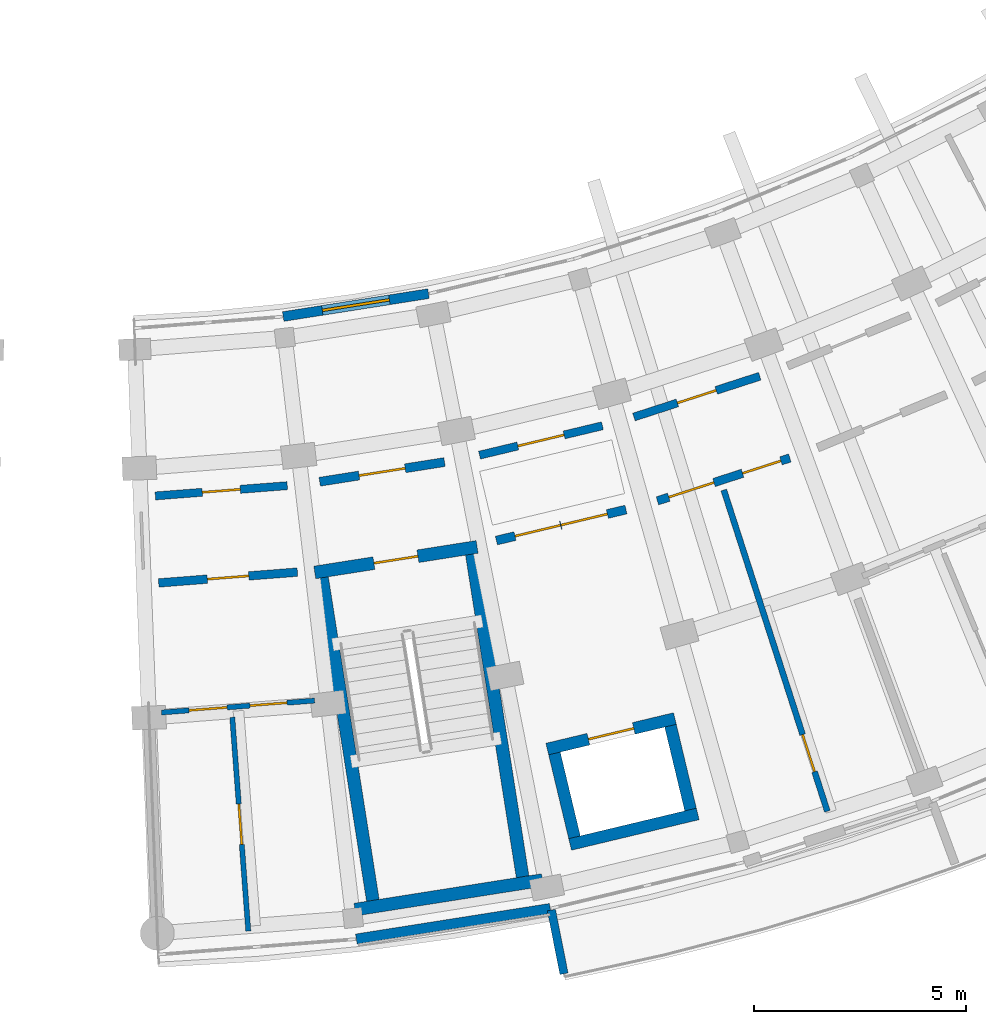
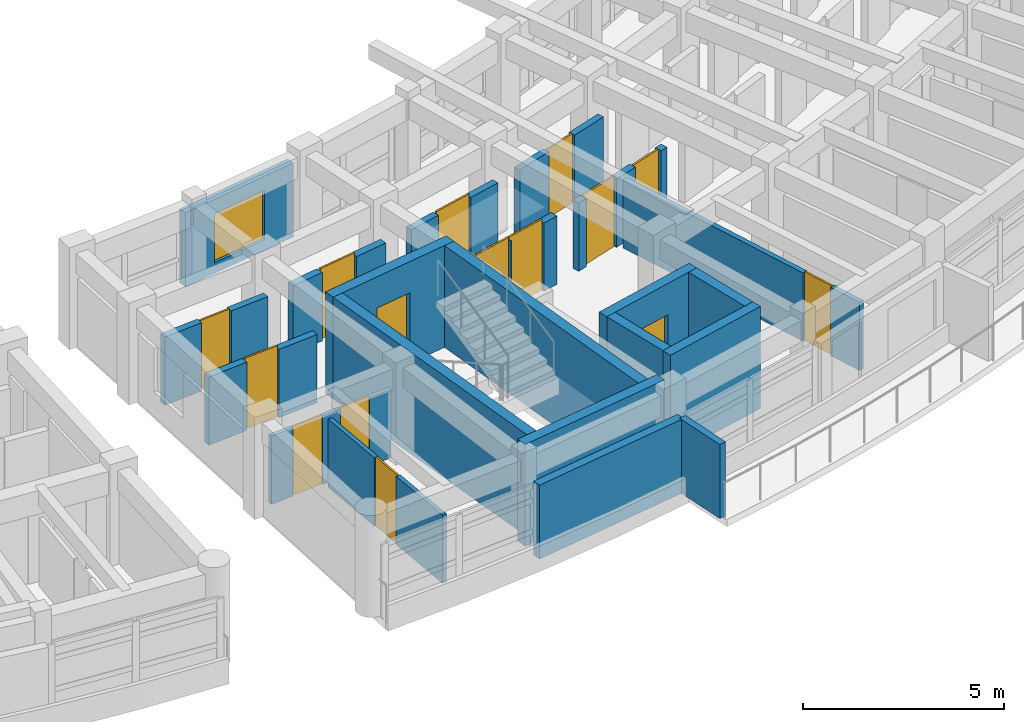
# One storey, part 38 of 55: 21 walls, 15 doors, 1 window, 16 openings.
"""IFC4 building model written with IfcOpenShell, lengths in metres."""

import ifcopenshell
import ifcopenshell.guid

model = None  # the IFC model being written
_history = None  # IfcOwnerHistory: only IFC2X3 demands one
_inside = {}  # id of a spatial element -> (the spatial element, [elements in it])
_under = {}  # id of a project, library or spatial element -> (it, [spatial elements below it])
_declared = {}  # id of a project -> (the project, [libraries it declares])
_typed = {}  # id of a type object -> (the type object, [elements of that type])
_made_of = {}  # id of a material, layer set ... -> (it, [elements and type objects made of it])


def new_model(schema):
    """Start an empty IFC model of exactly this schema.

    Asked for "IFC4X3", IfcOpenShell would pick the latest addendum, in which some entities
    have other attributes; the version numbers below select the first issue.
    IFC2X3 requires an IfcOwnerHistory on every rooted entity: one is made here for all.
    """
    global model, _history
    if schema == "IFC4X3":
        model = ifcopenshell.file(schema_version=(4, 3, 0, 0))
    else:
        model = ifcopenshell.file(schema=schema)
    _inside.clear()
    _under.clear()
    _declared.clear()
    _typed.clear()
    _made_of.clear()
    _history = None
    if model.schema == "IFC2X3":
        org = make("IfcOrganization", Name="unknown")
        user = make(
            "IfcPersonAndOrganization",
            ThePerson=make("IfcPerson", FamilyName="unknown"),
            TheOrganization=org,
        )
        app = make(
            "IfcApplication",
            ApplicationDeveloper=org,
            Version="unknown",
            ApplicationFullName="unknown",
            ApplicationIdentifier="unknown",
        )
        _history = make(
            "IfcOwnerHistory",
            OwningUser=user,
            OwningApplication=app,
            ChangeAction="ADDED",
            CreationDate=0,
        )
    return model


def make(cls, **values):
    """One entity of the class cls with the attributes given. An attribute that is None is left unset."""
    return model.create_entity(
        cls, **{name: value for name, value in values.items() if value is not None}
    )


def rooted(cls, **values):
    """An entity with a GlobalId (a new one), such as an element, a storey or a relation."""
    return make(cls, GlobalId=ifcopenshell.guid.new(), OwnerHistory=_history, **values)


def si_unit(unit_type, name, prefix=None):
    """IfcSIUnit, for example si_unit("LENGTHUNIT", "METRE", prefix="MILLI")."""
    return make("IfcSIUnit", UnitType=unit_type, Prefix=prefix, Name=name)


def assignment(units):
    """IfcUnitAssignment: the units of a project."""
    return None if units is None else make("IfcUnitAssignment", Units=units)


def point(xyz):
    """IfcCartesianPoint."""
    return None if xyz is None else make("IfcCartesianPoint", Coordinates=xyz)


def direction(xyz):
    """IfcDirection."""
    return None if xyz is None else make("IfcDirection", DirectionRatios=xyz)


def frame(location, z_axis=None, x_axis=None):
    """IfcAxis2Placement3D, a coordinate frame: its origin and axes. An axis left out is left unset."""
    return make(
        "IfcAxis2Placement3D",
        Location=point(location),
        Axis=direction(z_axis),
        RefDirection=direction(x_axis),
    )


def frame_2d(location, x_axis=None):
    """IfcAxis2Placement2D, a coordinate frame in the plane: its origin and x axis."""
    return make(
        "IfcAxis2Placement2D", Location=point(location), RefDirection=direction(x_axis)
    )


def origin():
    """The frame at (0, 0, 0) with its axes left unset."""
    return frame((0.0, 0.0, 0.0))


def place(relative_to, where):
    """IfcLocalPlacement: puts the frame where relative to a parent placement (None: the world)."""
    return make(
        "IfcLocalPlacement", PlacementRelTo=relative_to, RelativePlacement=where
    )


def context(
    kind, dimensions, precision=None, world=None, true_north=None, identifier=None
):
    """IfcGeometricRepresentationContext, for example the 3D "Model" context."""
    return make(
        "IfcGeometricRepresentationContext",
        ContextIdentifier=identifier,
        ContextType=kind,
        CoordinateSpaceDimension=dimensions,
        Precision=precision,
        WorldCoordinateSystem=world,
        TrueNorth=true_north,
    )


def subcontext(parent, identifier, kind, view, scale=None):
    """IfcGeometricRepresentationSubContext, for example "Body" below "Model"."""
    return make(
        "IfcGeometricRepresentationSubContext",
        ContextIdentifier=identifier,
        ContextType=kind,
        ParentContext=parent,
        TargetScale=scale,
        TargetView=view,
    )


def project(units=None, contexts=None):
    """IfcProject with its units and contexts."""
    return rooted(
        "IfcProject",
        Name="project",
        RepresentationContexts=contexts,
        UnitsInContext=assignment(units),
    )


def spatial(cls, under=None, at=None, **own):
    """A site, building, storey or space (cls), placed at a placement, below another one or the project."""
    s = rooted(cls, ObjectPlacement=at, **own)
    if under is not None:
        _under.setdefault(under.id(), (under, []))[1].append(s)
    return s


def profile(cls, at=None, kind="AREA", **sizes):
    """A parametric profile (cls). Its sizes go by their IFC names, for example OverallWidth=200.0."""
    return make(cls, ProfileType=kind, Position=at, **sizes)


def rectangle(**sizes):
    """IfcRectangleProfileDef."""
    return profile("IfcRectangleProfileDef", **sizes)


def extrude(swept, where, along, depth):
    """IfcExtrudedAreaSolid: the profile swept, set in the frame where, extruded along a direction by depth."""
    return make(
        "IfcExtrudedAreaSolid",
        SweptArea=swept,
        Position=where,
        ExtrudedDirection=direction(along),
        Depth=depth,
    )


def shape(context_of_items, identifier, shape_type, items):
    """IfcShapeRepresentation: the items that make up one representation, for example the "Body"."""
    return make(
        "IfcShapeRepresentation",
        ContextOfItems=context_of_items,
        RepresentationIdentifier=identifier,
        RepresentationType=shape_type,
        Items=items,
    )


def material(Name=None, Category=None):
    """IfcMaterial."""
    return make("IfcMaterial", Name=Name, Category=Category)


def layer(
    of_material, thickness, ventilated=None, Name=None, Category=None, Priority=None
):
    """IfcMaterialLayer: one layer of a wall or slab, of a material (None: an air gap)."""
    return make(
        "IfcMaterialLayer",
        Material=of_material,
        LayerThickness=thickness,
        IsVentilated=ventilated,
        Name=Name,
        Category=Category,
        Priority=Priority,
    )


def layer_set(layers, Name=None):
    """IfcMaterialLayerSet."""
    return make("IfcMaterialLayerSet", MaterialLayers=layers, LayerSetName=Name)


def made_of(thing, what):
    """Note that an element or type object is made of a material, layer set ...; save() writes the relation."""
    if what is not None:
        _made_of.setdefault(what.id(), (what, []))[1].append(thing)
    return thing


def type_object(cls, material=None, **own):
    """A type object (cls), such as IfcWallType, which elements share."""
    return made_of(rooted(cls, **own), material)


def element(
    cls,
    number,
    at=None,
    inside=None,
    cuts=None,
    type_object=None,
    material=None,
    context=None,
    identifier="Body",
    shape_type=None,
    held_by="IfcProductDefinitionShape",
    body=None,
    shapes=None,
    **own,
):
    """One element of the class cls, such as IfcWall. Its Tag is "e" and its number.

    at: its placement. inside: the storey or other place that contains it. cuts: it is an
    opening in that element (IfcRelVoidsElement). A single representation is given by context,
    identifier, shape_type and body (its items); several are given by shapes. held_by: the class
    of the entity that holds the representations. save() writes the other relations.
    """
    e = rooted(cls, Tag="e%d" % number, ObjectPlacement=at, **own)
    if body is not None:
        shapes = [shape(context, identifier, shape_type, body)]
    if shapes is not None:
        e.Representation = make(held_by, Representations=shapes)
    if inside is not None:
        _inside.setdefault(inside.id(), (inside, []))[1].append(e)
    if cuts is not None:
        rooted(
            "IfcRelVoidsElement", RelatingBuildingElement=cuts, RelatedOpeningElement=e
        )
    if type_object is not None:
        _typed.setdefault(type_object.id(), (type_object, []))[1].append(e)
    return made_of(e, material)


def fill(opening, filler):
    """IfcRelFillsElement: the door or window that sits in an opening."""
    return rooted(
        "IfcRelFillsElement",
        RelatingOpeningElement=opening,
        RelatedBuildingElement=filler,
    )


def aggregate(whole, parts):
    """IfcRelAggregates: a whole, such as a stair, and the parts it consists of."""
    return rooted("IfcRelAggregates", RelatingObject=whole, RelatedObjects=parts)


def save(model, path):
    """Write the relations noted so far, then the file.

    IfcRelAggregates (storeys below a building ...), IfcRelContainedInSpatialStructure (elements
    in a storey), IfcRelDefinesByType, IfcRelAssociatesMaterial and IfcRelDeclares: one each for
    every whole, place, type object, material and project.
    """
    for whole, parts in _under.values():
        aggregate(whole, parts)
    for where, things in _inside.values():
        rooted(
            "IfcRelContainedInSpatialStructure",
            RelatedElements=things,
            RelatingStructure=where,
        )
    for kind, things in _typed.values():
        rooted("IfcRelDefinesByType", RelatedObjects=things, RelatingType=kind)
    for what, things in _made_of.values():
        rooted("IfcRelAssociatesMaterial", RelatedObjects=things, RelatingMaterial=what)
    for by, libraries in _declared.values():
        rooted("IfcRelDeclares", RelatingContext=by, RelatedDefinitions=libraries)
    model.write(path)


model = new_model("IFC4")

# Units and contexts
model_context = context("Model", 3, precision=1e-05, world=origin(), true_north=direction((0.0, 1.0)))
body_context = subcontext(model_context, "Body", "Model", "MODEL_VIEW")
ifc_project = project(units=[si_unit("LENGTHUNIT", "METRE"), si_unit("AREAUNIT", "SQUARE_METRE"), si_unit("VOLUMEUNIT", "CUBIC_METRE"), si_unit("PLANEANGLEUNIT", "RADIAN"), si_unit("MASSUNIT", "GRAM", prefix="KILO")], contexts=[model_context])

# Site, building, storey
site_placement = place(None, origin())
site = spatial("IfcSite", under=ifc_project, at=site_placement, CompositionType="ELEMENT")
building_placement = place(site_placement, origin())
building = spatial("IfcBuilding", under=site, at=building_placement, Name="Zimvara Arc Housing Community", CompositionType="ELEMENT")
storey_placement = place(building_placement, frame((0.0, 0.0, 14.300048828125)))
storey = spatial("IfcBuildingStorey", under=building, at=storey_placement, Name="L04", CompositionType="ELEMENT", Elevation=14.300048828125)

# Wall, opening, window
ifc_material_1 = material(Name="Board-Marked Fair-Faced Concrete C35/45", Category="concrete")
ifc_layer_1 = layer(ifc_material_1, 0.22998046875)
ifc_layer_set_1 = layer_set([ifc_layer_1], Name="Board-Marked Fair-Faced Concrete C35/45")
wall_type_1 = type_object("IfcWallType", Name="EWL-CONC-230", PredefinedType="SOLIDWALL", material=ifc_layer_set_1)
wall_1_placement = place(storey_placement, frame((131.20556640625, 65.5478515625, 0.0), z_axis=(0.0, 0.0, 1.0), x_axis=(0.987825183084, 0.155568016203, 0.0)))
wall_1 = element("IfcWall", 1, at=wall_1_placement, inside=storey, type_object=wall_type_1, Name="ewall:blkD:L04:in:b1", PredefinedType="SOLIDWALL", context=body_context, shape_type="SweptSolid", body=[
    extrude(rectangle(XDim=3.463623046875, YDim=0.22998046875, at=frame_2d((1.73193359375, 0.0))), origin(), (0.0, 0.0, 1.0), 2.25),
])
opening_1_placement = place(wall_1_placement, frame((0.931884765625, 0.0, 0.320068359375)))
opening_1 = element("IfcOpeningElement", 2, at=opening_1_placement, cuts=wall_1, Name="Opening W03", PredefinedType="OPENING", context=body_context, shape_type="SweptSolid", body=[
    extrude(rectangle(XDim=1.60009765625, YDim=1.5, at=frame_2d((0.800048828125, 0.75))), frame((0.0, 0.125, 0.0), z_axis=(0.0, -1.0, 0.0), x_axis=(1.0, 0.0, 0.0)), (0.0, 0.0, 1.0), 0.25),
])
ifc_material_2 = material(Name="Solar Control Low-E Double Glazing", Category="glass")
window_type = type_object("IfcWindowType", Name="WIN-RES-1600x1500", PartitioningType="DOUBLE_PANEL_VERTICAL", PredefinedType="WINDOW", material=ifc_material_2)
window_placement = place(opening_1_placement, origin())
window = element("IfcWindow", 3, at=window_placement, inside=storey, type_object=window_type, Name="win:blkD:L04:in:b1", OverallHeight=1.5, OverallWidth=1.60009765625, PartitioningType="DOUBLE_PANEL_VERTICAL", PredefinedType="WINDOW", context=body_context, shape_type="SweptSolid", body=[
    extrude(rectangle(XDim=1.60009765625, YDim=1.5, at=frame_2d((0.800048828125, 0.75))), frame((0.0, 0.030029296875, 0.0), z_axis=(0.0, -1.0, 0.0), x_axis=(1.0, 0.0, 0.0)), (0.0, 0.0, 1.0), 0.06005859375),
])
fill(opening_1, window)

# Walls
ifc_material_3 = material(Name="Board-Marked Fair-Faced Concrete C35/45", Category="concrete")
ifc_layer_2 = layer(ifc_material_3, 0.195068359375)
ifc_layer_set_2 = layer_set([ifc_layer_2], Name="Board-Marked Fair-Faced Concrete C35/45")
wall_type_2 = type_object("IfcWallType", Name="EWL-PARA-195", PredefinedType="PARAPET", material=ifc_layer_set_2)
wall_2_placement = place(storey_placement, frame((137.521484375, 51.571533203125, 0.0), z_axis=(0.0, 0.0, 1.0), x_axis=(0.194213040361, -0.980959374772, 0.0)))
element("IfcWall", 4, at=wall_2_placement, inside=storey, type_object=wall_type_2, Name="finwall:blkD:L04:out:b2", PredefinedType="PARAPET", context=body_context, shape_type="SweptSolid", body=[
    extrude(rectangle(XDim=1.52978515625, YDim=0.195068359375, at=frame_2d((0.764892578125, 0.0))), origin(), (0.0, 0.0, 1.0), 2.25),
])
ifc_material_4 = material(Name="Board-Marked Fair-Faced Concrete C35/45", Category="concrete")
ifc_layer_3 = layer(ifc_material_4, 0.238037109375)
ifc_layer_set_3 = layer_set([ifc_layer_3], Name="Board-Marked Fair-Faced Concrete C35/45")
wall_type_3 = type_object("IfcWallType", Name="EWL-VAR-15", PredefinedType="SOLIDWALL", material=ifc_layer_set_3)
wall_3_placement = place(storey_placement, frame((132.927734375, 50.888671875, 0.0), z_axis=(0.0, 0.0, 1.0), x_axis=(0.987828826394, 0.155544880165, 0.0)))
element("IfcWall", 5, at=wall_3_placement, inside=storey, type_object=wall_type_3, Name="ewall:blkD:L04:out:b1", PredefinedType="SOLIDWALL", context=body_context, shape_type="SweptSolid", body=[
    extrude(rectangle(XDim=4.622314453125, YDim=0.238037109375, at=frame_2d((2.31103515625, 0.0))), origin(), (0.0, 0.0, 1.0), 2.25),
])

# Wall, opening, door
ifc_material_5 = material(Name="Concrete C35/45", Category="concrete")
ifc_layer_4 = layer(ifc_material_5, 0.2099609375)
ifc_layer_set_4 = layer_set([ifc_layer_4], Name="Concrete C35/45")
wall_type_4 = type_object("IfcWallType", Name="IWL-CCF-210", PredefinedType="SOLIDWALL", material=ifc_layer_set_4)
wall_4_placement = place(storey_placement, frame((132.065185546875, 61.6572265625, 0.0), z_axis=(0.0, 0.0, 1.0), x_axis=(0.987816121487, 0.155625544594, 0.0)))
wall_4 = element("IfcWall", 6, at=wall_4_placement, inside=storey, type_object=wall_type_4, Name="iwall:blkD:L04:ccf_div:b1", PredefinedType="SOLIDWALL", context=body_context, shape_type="SweptSolid", body=[
    extrude(rectangle(XDim=2.97607421875, YDim=0.2099609375, at=frame_2d((1.488037109375, 0.0))), origin(), (0.0, 0.0, 1.0), 2.079833984375),
])
opening_2_placement = place(wall_4_placement, frame((0.93798828125, 0.0, 0.0)))
opening_2 = element("IfcOpeningElement", 7, at=opening_2_placement, cuts=wall_4, Name="Opening FD-CCF1", PredefinedType="OPENING", context=body_context, shape_type="SweptSolid", body=[
    extrude(rectangle(XDim=1.10009765625, YDim=2.14990234375, at=frame_2d((0.550048828125, 1.074951171875))), frame((0.0, 0.114990234375, 0.0), z_axis=(0.0, -1.0, 0.0), x_axis=(1.0, 0.0, 0.0)), (0.0, 0.0, 1.0), 0.22998046875),
])
ifc_material_6 = material(Name="Anodised Aluminium AW-6063", Category="aluminium")
door_type_1 = type_object("IfcDoorType", Name="IDR-CCF-1100x2150", OperationType="NOTDEFINED", PredefinedType="DOOR", material=ifc_material_6)
door_1_placement = place(opening_2_placement, origin())
door_1 = element("IfcDoor", 8, at=door_1_placement, inside=storey, type_object=door_type_1, Name="idoor:blkD:L04:ccf_in:b1", OperationType="SINGLE_SWING_LEFT", OverallHeight=2.14990234375, OverallWidth=1.10009765625, PredefinedType="DOOR", context=body_context, shape_type="SweptSolid", body=[
    extrude(rectangle(XDim=1.10009765625, YDim=2.14990234375, at=frame_2d((0.550048828125, 1.074951171875))), frame((0.0, 0.02490234375, 0.0), z_axis=(0.0, -1.0, 0.0), x_axis=(1.0, 0.0, 0.0)), (0.0, 0.0, 1.0), 0.050048828125),
])
fill(opening_2, door_1)

# Wall, openings, doors
wall_5_placement = place(storey_placement, frame((136.2265625, 60.272216796875, 0.0), z_axis=(0.0, 0.0, 1.0), x_axis=(0.972564346632, 0.232634029456, 0.0)))
wall_5 = element("IfcWall", 9, at=wall_5_placement, inside=storey, type_object=wall_type_4, Name="iwall:blkD:L04:ll_div:b2", PredefinedType="SOLIDWALL", context=body_context, shape_type="SweptSolid", body=[
    extrude(rectangle(XDim=3.136962890625, YDim=0.2099609375, at=frame_2d((1.568359375, 0.0))), origin(), (0.0, 0.0, 1.0), 2.079833984375),
])
opening_3_placement = place(wall_5_placement, frame((0.449951171875, 0.0, 0.0)))
opening_3 = element("IfcOpeningElement", 10, at=opening_3_placement, cuts=wall_5, Name="Opening FD-CCF1", PredefinedType="OPENING", context=body_context, shape_type="SweptSolid", body=[
    extrude(rectangle(XDim=1.10009765625, YDim=2.14990234375, at=frame_2d((0.550048828125, 1.074951171875))), frame((0.0, 0.114990234375, 0.0), z_axis=(0.0, -1.0, 0.0), x_axis=(1.0, 0.0, 0.0)), (0.0, 0.0, 1.0), 0.22998046875),
])
opening_4_placement = place(wall_5_placement, frame((1.56689453125, 0.0, 0.0)))
opening_4 = element("IfcOpeningElement", 11, at=opening_4_placement, cuts=wall_5, Name="Opening D07", PredefinedType="OPENING", context=body_context, shape_type="SweptSolid", body=[
    extrude(rectangle(XDim=1.1201171875, YDim=2.14990234375, at=frame_2d((0.56005859375, 1.074951171875))), frame((0.0, 0.114990234375, 0.0), z_axis=(0.0, -1.0, 0.0), x_axis=(1.0, 0.0, 0.0)), (0.0, 0.0, 1.0), 0.22998046875),
])
ifc_material_7 = material(Name="Mozambican Hardwood", Category="wood")
door_type_2 = type_object("IfcDoorType", Name="IDR-AMN-1120x2150", OperationType="NOTDEFINED", PredefinedType="DOOR", material=ifc_material_7)
door_2_placement = place(opening_4_placement, origin())
door_2 = element("IfcDoor", 12, at=door_2_placement, inside=storey, type_object=door_type_2, Name="idoor:blkD:L04:rs_in:b2", OperationType="SINGLE_SWING_LEFT", OverallHeight=2.14990234375, OverallWidth=1.1201171875, PredefinedType="DOOR", context=body_context, shape_type="SweptSolid", body=[
    extrude(rectangle(XDim=1.1201171875, YDim=2.14990234375, at=frame_2d((0.56005859375, 1.074951171875))), frame((0.0, 0.02490234375, 0.0), z_axis=(0.0, -1.0, 0.0), x_axis=(1.0, 0.0, 0.0)), (0.0, 0.0, 1.0), 0.050048828125),
])
fill(opening_4, door_2)
door_3_placement = place(opening_3_placement, origin())
door_3 = element("IfcDoor", 13, at=door_3_placement, inside=storey, type_object=door_type_1, Name="idoor:blkD:L04:ll_in:b2", OperationType="SINGLE_SWING_RIGHT", OverallHeight=2.14990234375, OverallWidth=1.10009765625, PredefinedType="DOOR", context=body_context, shape_type="SweptSolid", body=[
    extrude(rectangle(XDim=1.10009765625, YDim=2.14990234375, at=frame_2d((0.550048828125, 1.074951171875))), frame((0.0, 0.02490234375, 0.0), z_axis=(0.0, -1.0, 0.0), x_axis=(1.0, 0.0, 0.0)), (0.0, 0.0, 1.0), 0.050048828125),
])
fill(opening_3, door_3)

# Wall, opening, door
ifc_material_8 = material(Name="Concrete C35/45", Category="concrete")
ifc_layer_5 = layer(ifc_material_8, 0.18994140625)
ifc_layer_set_5 = layer_set([ifc_layer_5], Name="Concrete C35/45")
wall_type_5 = type_object("IfcWallType", Name="IWL-CORR-190", PredefinedType="SOLIDWALL", material=ifc_layer_set_5)
wall_6_placement = place(storey_placement, frame((128.194580078125, 61.322998046875, 0.0), z_axis=(0.0, 0.0, 1.0), x_axis=(0.996987280187, 0.077565218655, 0.0)))
wall_6 = element("IfcWall", 14, at=wall_6_placement, inside=storey, type_object=wall_type_5, Name="iwall:blkD:L04:corr_in:b0", PredefinedType="SOLIDWALL", context=body_context, shape_type="SweptSolid", body=[
    extrude(rectangle(XDim=3.115966796875, YDim=0.18994140625, at=frame_2d((1.55810546875, 0.0))), origin(), (0.0, 0.0, 1.0), 2.079833984375),
])
opening_5_placement = place(wall_6_placement, frame((1.10791015625, 0.0, 0.0)))
opening_5 = element("IfcOpeningElement", 15, at=opening_5_placement, cuts=wall_6, Name="Opening D01", PredefinedType="OPENING", context=body_context, shape_type="SweptSolid", body=[
    extrude(rectangle(XDim=0.89990234375, YDim=2.10009765625, at=frame_2d((0.449951171875, 1.050048828125))), frame((0.0, 0.10498046875, 0.0), z_axis=(0.0, -1.0, 0.0), x_axis=(1.0, 0.0, 0.0)), (0.0, 0.0, 1.0), 0.2099609375),
])
ifc_material_9 = material(Name="Mozambican Hardwood", Category="wood")
door_type_3 = type_object("IfcDoorType", Name="IDR-RM-0900x2100", OperationType="NOTDEFINED", PredefinedType="DOOR", material=ifc_material_9)
door_4_placement = place(opening_5_placement, origin())
door_4 = element("IfcDoor", 16, at=door_4_placement, inside=storey, type_object=door_type_3, Name="idoor:blkD:L04:in_rm:b0", OperationType="SINGLE_SWING_LEFT", OverallHeight=2.10009765625, OverallWidth=0.89990234375, PredefinedType="DOOR", context=body_context, shape_type="SweptSolid", body=[
    extrude(rectangle(XDim=0.89990234375, YDim=2.10009765625, at=frame_2d((0.449951171875, 1.050048828125))), frame((0.0, 0.02490234375, 0.0), z_axis=(0.0, -1.0, 0.0), x_axis=(1.0, 0.0, 0.0)), (0.0, 0.0, 1.0), 0.050048828125),
])
fill(opening_5, door_4)

wall_7_placement = place(storey_placement, frame((135.828369140625, 62.283203125, 0.0), z_axis=(0.0, 0.0, 1.0), x_axis=(0.972558314217, 0.232659247501, 0.0)))
wall_7 = element("IfcWall", 17, at=wall_7_placement, inside=storey, type_object=wall_type_5, Name="iwall:blkD:L04:ra_div:b2", PredefinedType="SOLIDWALL", context=body_context, shape_type="SweptSolid", body=[
    extrude(rectangle(XDim=2.97607421875, YDim=0.18994140625, at=frame_2d((1.488037109375, 0.0))), origin(), (0.0, 0.0, 1.0), 2.079833984375),
])
opening_6_placement = place(wall_7_placement, frame((0.927978515625, 0.0, 0.0)))
opening_6 = element("IfcOpeningElement", 18, at=opening_6_placement, cuts=wall_7, Name="Opening D07", PredefinedType="OPENING", context=body_context, shape_type="SweptSolid", body=[
    extrude(rectangle(XDim=1.1201171875, YDim=2.14990234375, at=frame_2d((0.56005859375, 1.074951171875))), frame((0.0, 0.10498046875, 0.0), z_axis=(0.0, -1.0, 0.0), x_axis=(1.0, 0.0, 0.0)), (0.0, 0.0, 1.0), 0.2099609375),
])
door_5_placement = place(opening_6_placement, origin())
door_5 = element("IfcDoor", 19, at=door_5_placement, inside=storey, type_object=door_type_2, Name="idoor:blkD:L04:ra_d:b2", OperationType="SINGLE_SWING_RIGHT", OverallHeight=2.14990234375, OverallWidth=1.1201171875, PredefinedType="DOOR", context=body_context, shape_type="SweptSolid", body=[
    extrude(rectangle(XDim=1.1201171875, YDim=2.14990234375, at=frame_2d((0.56005859375, 1.074951171875))), frame((0.0, 0.02490234375, 0.0), z_axis=(0.0, -1.0, 0.0), x_axis=(1.0, 0.0, 0.0)), (0.0, 0.0, 1.0), 0.050048828125),
])
fill(opening_6, door_5)

wall_8_placement = place(storey_placement, frame((139.464111328125, 63.18115234375, 0.0), z_axis=(0.0, 0.0, 1.0), x_axis=(0.951336474448, 0.308154040027, 0.0)))
wall_8 = element("IfcWall", 20, at=wall_8_placement, inside=storey, type_object=wall_type_5, Name="iwall:blkD:L04:corr_in:b3", PredefinedType="SOLIDWALL", context=body_context, shape_type="SweptSolid", body=[
    extrude(rectangle(XDim=3.115966796875, YDim=0.18994140625, at=frame_2d((1.55810546875, 0.0))), origin(), (0.0, 0.0, 1.0), 2.079833984375),
])
opening_7_placement = place(wall_8_placement, frame((1.077880859375, 0.0, 0.0)))
opening_7 = element("IfcOpeningElement", 21, at=opening_7_placement, cuts=wall_8, Name="Opening D04", PredefinedType="OPENING", context=body_context, shape_type="SweptSolid", body=[
    extrude(rectangle(XDim=0.9599609375, YDim=2.10009765625, at=frame_2d((0.47998046875, 1.050048828125))), frame((0.0, 0.10498046875, 0.0), z_axis=(0.0, -1.0, 0.0), x_axis=(1.0, 0.0, 0.0)), (0.0, 0.0, 1.0), 0.2099609375),
])
ifc_material_10 = material(Name="Mozambican Hardwood", Category="wood")
door_type_4 = type_object("IfcDoorType", Name="IDR-RM-0960x2100", OperationType="NOTDEFINED", PredefinedType="DOOR", material=ifc_material_10)
door_6_placement = place(opening_7_placement, origin())
door_6 = element("IfcDoor", 22, at=door_6_placement, inside=storey, type_object=door_type_4, Name="idoor:blkD:L04:in_rm:b3", OperationType="SINGLE_SWING_LEFT", OverallHeight=2.10009765625, OverallWidth=0.9599609375, PredefinedType="DOOR", context=body_context, shape_type="SweptSolid", body=[
    extrude(rectangle(XDim=0.9599609375, YDim=2.10009765625, at=frame_2d((0.47998046875, 1.050048828125))), frame((0.0, 0.02490234375, 0.0), z_axis=(0.0, -1.0, 0.0), x_axis=(1.0, 0.0, 0.0)), (0.0, 0.0, 1.0), 0.050048828125),
])
fill(opening_7, door_6)

ifc_material_11 = material(Name="Concrete C35/45", Category="concrete")
ifc_layer_6 = layer(ifc_material_11, 0.199951171875)
ifc_layer_set_6 = layer_set([ifc_layer_6], Name="Concrete C35/45")
wall_type_6 = type_object("IfcWallType", Name="IWL-CORR-200", PredefinedType="SOLIDWALL", material=ifc_layer_set_6)
wall_9_placement = place(storey_placement, frame((128.273193359375, 59.2744140625, 0.0), z_axis=(0.0, 0.0, 1.0), x_axis=(0.996982624396, 0.077625038827, 0.0)))
wall_9 = element("IfcWall", 23, at=wall_9_placement, inside=storey, type_object=wall_type_6, Name="iwall:blkD:L04:corr_out:b0", PredefinedType="SOLIDWALL", context=body_context, shape_type="SweptSolid", body=[
    extrude(rectangle(XDim=3.27734375, YDim=0.199951171875, at=frame_2d((1.638671875, 0.0))), origin(), (0.0, 0.0, 1.0), 2.079833984375),
])
opening_8_placement = place(wall_9_placement, frame((1.1484375, 0.0, 0.0)))
opening_8 = element("IfcOpeningElement", 24, at=opening_8_placement, cuts=wall_9, Name="Opening FD-FL1", PredefinedType="OPENING", context=body_context, shape_type="SweptSolid", body=[
    extrude(rectangle(XDim=0.97998046875, YDim=2.14990234375, at=frame_2d((0.489990234375, 1.074951171875))), frame((0.0, 0.10986328125, 0.0), z_axis=(0.0, -1.0, 0.0), x_axis=(1.0, 0.0, 0.0)), (0.0, 0.0, 1.0), 0.219970703125),
])
ifc_material_12 = material(Name="Mozambican Hardwood", Category="wood")
door_type_5 = type_object("IfcDoorType", Name="IDR-FLAT-0980x2150", OperationType="NOTDEFINED", PredefinedType="DOOR", material=ifc_material_12)
door_7_placement = place(opening_8_placement, origin())
door_7 = element("IfcDoor", 25, at=door_7_placement, inside=storey, type_object=door_type_5, Name="idoor:blkD:L04:flat:b0", OperationType="SINGLE_SWING_RIGHT", OverallHeight=2.14990234375, OverallWidth=0.97998046875, PredefinedType="DOOR", context=body_context, shape_type="SweptSolid", body=[
    extrude(rectangle(XDim=0.97998046875, YDim=2.14990234375, at=frame_2d((0.489990234375, 1.074951171875))), frame((0.0, 0.02490234375, 0.0), z_axis=(0.0, -1.0, 0.0), x_axis=(1.0, 0.0, 0.0)), (0.0, 0.0, 1.0), 0.050048828125),
])
fill(opening_8, door_7)

# Wall, openings, doors
wall_10_placement = place(storey_placement, frame((140.018798828125, 61.20751953125, 0.0), z_axis=(0.0, 0.0, 1.0), x_axis=(0.951323803878, 0.308193154005, 0.0)))
wall_10 = element("IfcWall", 26, at=wall_10_placement, inside=storey, type_object=wall_type_6, Name="iwall:blkD:L04:corr_out:b3", PredefinedType="SOLIDWALL", context=body_context, shape_type="SweptSolid", body=[
    extrude(rectangle(XDim=3.277099609375, YDim=0.199951171875, at=frame_2d((1.638671875, 0.0))), origin(), (0.0, 0.0, 1.0), 2.079833984375),
])
opening_9_placement = place(wall_10_placement, frame((0.280029296875, 0.0, 0.0)))
opening_9 = element("IfcOpeningElement", 27, at=opening_9_placement, cuts=wall_10, Name="Opening D07", PredefinedType="OPENING", context=body_context, shape_type="SweptSolid", body=[
    extrude(rectangle(XDim=1.1201171875, YDim=2.14990234375, at=frame_2d((0.56005859375, 1.074951171875))), frame((0.0, 0.10986328125, 0.0), z_axis=(0.0, -1.0, 0.0), x_axis=(1.0, 0.0, 0.0)), (0.0, 0.0, 1.0), 0.219970703125),
])
opening_10_placement = place(wall_10_placement, frame((2.10693359375, 0.0, 0.0)))
opening_10 = element("IfcOpeningElement", 28, at=opening_10_placement, cuts=wall_10, Name="Opening D06", PredefinedType="OPENING", context=body_context, shape_type="SweptSolid", body=[
    extrude(rectangle(XDim=0.949951171875, YDim=2.10009765625, at=frame_2d((0.47509765625, 1.050048828125))), frame((0.0, 0.10986328125, 0.0), z_axis=(0.0, -1.0, 0.0), x_axis=(1.0, 0.0, 0.0)), (0.0, 0.0, 1.0), 0.219970703125),
])
door_8_placement = place(opening_9_placement, origin())
door_8 = element("IfcDoor", 29, at=door_8_placement, inside=storey, type_object=door_type_2, Name="idoor:blkD:L04:amen:b3", OperationType="SINGLE_SWING_LEFT", OverallHeight=2.14990234375, OverallWidth=1.1201171875, PredefinedType="DOOR", context=body_context, shape_type="SweptSolid", body=[
    extrude(rectangle(XDim=1.1201171875, YDim=2.14990234375, at=frame_2d((0.56005859375, 1.074951171875))), frame((0.0, 0.02490234375, 0.0), z_axis=(0.0, -1.0, 0.0), x_axis=(1.0, 0.0, 0.0)), (0.0, 0.0, 1.0), 0.050048828125),
])
fill(opening_9, door_8)
ifc_material_13 = material(Name="Mozambican Hardwood", Category="wood")
door_type_6 = type_object("IfcDoorType", Name="IDR-AWC-0950x2100", OperationType="NOTDEFINED", PredefinedType="DOOR", material=ifc_material_13)
door_9_placement = place(opening_10_placement, origin())
door_9 = element("IfcDoor", 30, at=door_9_placement, inside=storey, type_object=door_type_6, Name="idoor:blkD:L04:cawc:b3", OperationType="SINGLE_SWING_RIGHT", OverallHeight=2.10009765625, OverallWidth=0.949951171875, PredefinedType="DOOR", context=body_context, shape_type="SweptSolid", body=[
    extrude(rectangle(XDim=0.949951171875, YDim=2.10009765625, at=frame_2d((0.47509765625, 1.050048828125))), frame((0.0, 0.02490234375, 0.0), z_axis=(0.0, -1.0, 0.0), x_axis=(1.0, 0.0, 0.0)), (0.0, 0.0, 1.0), 0.050048828125),
])
fill(opening_10, door_9)

ifc_material_14 = material(Name="Painted Acoustic Plasterboard")
ifc_layer_7 = layer(ifc_material_14, 0.1201171875)
ifc_layer_set_7 = layer_set([ifc_layer_7], Name="Painted Acoustic Plasterboard")
wall_type_7 = type_object("IfcWallType", Name="IWL-PART-120", PredefinedType="PARTITIONING", material=ifc_layer_set_7)
wall_11_placement = place(storey_placement, frame((128.340576171875, 56.222900390625, 0.0), z_axis=(0.0, 0.0, 1.0), x_axis=(0.996986990942, 0.077568936389, 0.0)))
wall_11 = element("IfcWall", 31, at=wall_11_placement, inside=storey, type_object=wall_type_7, Name="iwall:blkD:L04:srv:b0", PredefinedType="PARTITIONING", context=body_context, shape_type="SweptSolid", body=[
    extrude(rectangle(XDim=3.616455078125, YDim=0.1201171875, at=frame_2d((1.80810546875, 0.0))), origin(), (0.0, 0.0, 1.0), 2.079833984375),
])
opening_11_placement = place(wall_11_placement, frame((0.64990234375, 0.0, 0.0)))
opening_11 = element("IfcOpeningElement", 32, at=opening_11_placement, cuts=wall_11, Name="Opening D01", PredefinedType="OPENING", context=body_context, shape_type="SweptSolid", body=[
    extrude(rectangle(XDim=0.89990234375, YDim=2.10009765625, at=frame_2d((0.449951171875, 1.050048828125))), frame((0.0, 0.070068359375, 0.0), z_axis=(0.0, -1.0, 0.0), x_axis=(1.0, 0.0, 0.0)), (0.0, 0.0, 1.0), 0.14013671875),
])
opening_12_placement = place(wall_11_placement, frame((2.08642578125, 0.0, 0.0)))
opening_12 = element("IfcOpeningElement", 33, at=opening_12_placement, cuts=wall_11, Name="Opening D05", PredefinedType="OPENING", context=body_context, shape_type="SweptSolid", body=[
    extrude(rectangle(XDim=0.8798828125, YDim=2.10009765625, at=frame_2d((0.43994140625, 1.050048828125))), frame((0.0, 0.070068359375, 0.0), z_axis=(0.0, -1.0, 0.0), x_axis=(1.0, 0.0, 0.0)), (0.0, 0.0, 1.0), 0.14013671875),
])
door_10_placement = place(opening_11_placement, origin())
door_10 = element("IfcDoor", 34, at=door_10_placement, inside=storey, type_object=door_type_3, Name="idoor:blkD:L04:kit_liv:b0", OperationType="SINGLE_SWING_RIGHT", OverallHeight=2.10009765625, OverallWidth=0.89990234375, PredefinedType="DOOR", context=body_context, shape_type="SweptSolid", body=[
    extrude(rectangle(XDim=0.89990234375, YDim=2.10009765625, at=frame_2d((0.449951171875, 1.050048828125))), frame((0.0, 0.02490234375, 0.0), z_axis=(0.0, -1.0, 0.0), x_axis=(1.0, 0.0, 0.0)), (0.0, 0.0, 1.0), 0.050048828125),
])
fill(opening_11, door_10)
ifc_material_15 = material(Name="Mozambican Hardwood", Category="wood")
door_type_7 = type_object("IfcDoorType", Name="IDR-WC-0880x2100", OperationType="NOTDEFINED", PredefinedType="DOOR", material=ifc_material_15)
door_11_placement = place(opening_12_placement, origin())
door_11 = element("IfcDoor", 35, at=door_11_placement, inside=storey, type_object=door_type_7, Name="idoor:blkD:L04:bath_d:b0", OperationType="SINGLE_SWING_LEFT", OverallHeight=2.10009765625, OverallWidth=0.8798828125, PredefinedType="DOOR", context=body_context, shape_type="SweptSolid", body=[
    extrude(rectangle(XDim=0.8798828125, YDim=2.10009765625, at=frame_2d((0.43994140625, 1.050048828125))), frame((0.0, 0.02490234375, 0.0), z_axis=(0.0, -1.0, 0.0), x_axis=(1.0, 0.0, 0.0)), (0.0, 0.0, 1.0), 0.050048828125),
])
fill(opening_12, door_11)

# Wall, opening, door
wall_12_placement = place(storey_placement, frame((130.0068359375, 56.110595703125, 0.0), z_axis=(0.0, 0.0, 1.0), x_axis=(0.074692597417, -0.997206606422, 0.0)))
wall_12 = element("IfcWall", 36, at=wall_12_placement, inside=storey, type_object=wall_type_7, Name="iwall:blkD:L04:bed_div:b0", PredefinedType="PARTITIONING", context=body_context, shape_type="SweptSolid", body=[
    extrude(rectangle(XDim=5.050048828125, YDim=0.1201171875, at=frame_2d((2.52490234375, 0.0))), origin(), (0.0, 0.0, 1.0), 2.079833984375),
])
opening_13_placement = place(wall_12_placement, frame((2.044921875, 0.0, 0.0)))
opening_13 = element("IfcOpeningElement", 37, at=opening_13_placement, cuts=wall_12, Name="Opening D04", PredefinedType="OPENING", context=body_context, shape_type="SweptSolid", body=[
    extrude(rectangle(XDim=0.9599609375, YDim=2.10009765625, at=frame_2d((0.47998046875, 1.050048828125))), frame((0.0, 0.070068359375, 0.0), z_axis=(0.0, -1.0, 0.0), x_axis=(1.0, 0.0, 0.0)), (0.0, 0.0, 1.0), 0.14013671875),
])
door_12_placement = place(opening_13_placement, origin())
door_12 = element("IfcDoor", 38, at=door_12_placement, inside=storey, type_object=door_type_4, Name="idoor:blkD:L04:bed_d:b0", OperationType="SINGLE_SWING_RIGHT", OverallHeight=2.10009765625, OverallWidth=0.9599609375, PredefinedType="DOOR", context=body_context, shape_type="SweptSolid", body=[
    extrude(rectangle(XDim=0.9599609375, YDim=2.10009765625, at=frame_2d((0.47998046875, 1.050048828125))), frame((0.0, 0.02490234375, 0.0), z_axis=(0.0, -1.0, 0.0), x_axis=(1.0, 0.0, 0.0)), (0.0, 0.0, 1.0), 0.050048828125),
])
fill(opening_13, door_12)

ifc_material_16 = material(Name="Painted Acoustic Plasterboard")
ifc_layer_8 = layer(ifc_material_16, 0.139892578125)
ifc_layer_set_8 = layer_set([ifc_layer_8], Name="Painted Acoustic Plasterboard")
wall_type_8 = type_object("IfcWallType", Name="IWL-PART-140", PredefinedType="PARTITIONING", material=ifc_layer_set_8)
wall_13_placement = place(storey_placement, frame((141.581298828125, 61.46240234375, 0.0), z_axis=(0.0, 0.0, 1.0), x_axis=(0.306824216212, -0.951766200464, 0.0)))
wall_13 = element("IfcWall", 39, at=wall_13_placement, inside=storey, type_object=wall_type_8, Name="iwall:blkD:L04:amen_div:b3", PredefinedType="PARTITIONING", context=body_context, shape_type="SweptSolid", body=[
    extrude(rectangle(XDim=7.949951171875, YDim=0.139892578125, at=frame_2d((3.97509765625, 0.0))), origin(), (0.0, 0.0, 1.0), 2.079833984375),
])
opening_14_placement = place(wall_13_placement, frame((6.050048828125, 0.0, 0.0)))
opening_14 = element("IfcOpeningElement", 40, at=opening_14_placement, cuts=wall_13, Name="Opening D02", PredefinedType="OPENING", context=body_context, shape_type="SweptSolid", body=[
    extrude(rectangle(XDim=0.919921875, YDim=2.10009765625, at=frame_2d((0.4599609375, 1.050048828125))), frame((0.0, 0.079833984375, 0.0), z_axis=(0.0, -1.0, 0.0), x_axis=(1.0, 0.0, 0.0)), (0.0, 0.0, 1.0), 0.159912109375),
])
ifc_material_17 = material(Name="Mozambican Hardwood", Category="wood")
door_type_8 = type_object("IfcDoorType", Name="IDR-RM-0920x2100", OperationType="NOTDEFINED", PredefinedType="DOOR", material=ifc_material_17)
door_13_placement = place(opening_14_placement, origin())
door_13 = element("IfcDoor", 41, at=door_13_placement, inside=storey, type_object=door_type_8, Name="idoor:blkD:L04:laund_d:b3", OperationType="SINGLE_SWING_RIGHT", OverallHeight=2.10009765625, OverallWidth=0.919921875, PredefinedType="DOOR", context=body_context, shape_type="SweptSolid", body=[
    extrude(rectangle(XDim=0.919921875, YDim=2.10009765625, at=frame_2d((0.4599609375, 1.050048828125))), frame((0.0, 0.02490234375, 0.0), z_axis=(0.0, -1.0, 0.0), x_axis=(1.0, 0.0, 0.0)), (0.0, 0.0, 1.0), 0.050048828125),
])
fill(opening_14, door_13)

ifc_material_18 = material(Name="Concrete C40/50", Category="concrete")
ifc_layer_9 = layer(ifc_material_18, 0.280029296875)
ifc_layer_set_9 = layer_set([ifc_layer_9], Name="Concrete C40/50")
wall_type_9 = type_object("IfcWallType", Name="WL-CORE-280", PredefinedType="SHEAR", material=ifc_layer_set_9)
wall_14_placement = place(storey_placement, frame((137.4248046875, 55.3623046875, 0.0), z_axis=(0.0, 0.0, 1.0), x_axis=(0.972573452388, 0.232595958069, 0.0)))
wall_14 = element("IfcWall", 42, at=wall_14_placement, inside=storey, type_object=wall_type_9, Name="lwall:LP-D1:L04:front", PredefinedType="SHEAR", context=body_context, shape_type="SweptSolid", body=[
    extrude(rectangle(XDim=3.090087890625, YDim=0.280029296875, at=frame_2d((1.544921875, 0.0))), origin(), (0.0, 0.0, 1.0), 3.099853515625),
])
opening_15_placement = place(wall_14_placement, frame((0.9951171875, 0.0, 0.0)))
opening_15 = element("IfcOpeningElement", 43, at=opening_15_placement, cuts=wall_14, Name="Opening LD-LP-D1", PredefinedType="OPENING", context=body_context, shape_type="SweptSolid", body=[
    extrude(rectangle(XDim=1.10009765625, YDim=2.14990234375, at=frame_2d((0.550048828125, 1.074951171875))), frame((0.0, 0.14990234375, 0.0), z_axis=(0.0, -1.0, 0.0), x_axis=(1.0, 0.0, 0.0)), (0.0, 0.0, 1.0), 0.300048828125),
])
ifc_material_19 = material(Name="Anodised Aluminium AW-6063", Category="aluminium")
door_type_9 = type_object("IfcDoorType", Name="IDR-LD-1100x2150", OperationType="DOUBLE_DOOR_SLIDING", PredefinedType="DOOR", material=ifc_material_19)
door_14_placement = place(opening_15_placement, origin())
door_14 = element("IfcDoor", 44, at=door_14_placement, inside=storey, type_object=door_type_9, Name="Lift LP-D1 Sliding Landing Door L04", OperationType="DOUBLE_DOOR_SLIDING", OverallHeight=2.14990234375, OverallWidth=1.10009765625, PredefinedType="DOOR", context=body_context, shape_type="SweptSolid", body=[
    extrude(rectangle(XDim=1.10009765625, YDim=2.14990234375, at=frame_2d((0.550048828125, 1.074951171875))), frame((0.0, 0.02490234375, 0.0), z_axis=(0.0, -1.0, 0.0), x_axis=(1.0, 0.0, 0.0)), (0.0, 0.0, 1.0), 0.050048828125),
])
fill(opening_15, door_14)

# Walls
wall_15_placement = place(storey_placement, frame((137.962158203125, 53.11572265625, 0.0), z_axis=(0.0, 0.0, 1.0), x_axis=(0.972573452388, 0.232595958069, 0.0)))
element("IfcWall", 45, at=wall_15_placement, inside=storey, type_object=wall_type_9, Name="lwall:LP-D1:L04:back", PredefinedType="SHEAR", context=body_context, shape_type="SweptSolid", body=[
    extrude(rectangle(XDim=3.090087890625, YDim=0.280029296875, at=frame_2d((1.544921875, 0.0))), origin(), (0.0, 0.0, 1.0), 3.099853515625),
])
for number, where, z_axis, x_axis, name in (
    (46, (137.593505859375, 55.2587890625, 0.0), (0.0, 0.0, 1.0), (0.232590524316, -0.972574751882, 0.0), "lwall:LP-D1:L04:left"),
    (47, (140.326416015625, 55.912353515625, 0.0), (0.0, 0.0, 1.0), (0.232590524316, -0.972574751882, 0.0), "lwall:LP-D1:L04:right"),
):
    element("IfcWall", number, at=place(storey_placement, frame(where, z_axis=z_axis, x_axis=x_axis)), inside=storey, type_object=wall_type_9, Name=name, PredefinedType="SHEAR", context=body_context, shape_type="SweptSolid", body=[
        extrude(rectangle(XDim=2.030029296875, YDim=0.280029296875, at=frame_2d((1.01513671875, 0.0))), origin(), (0.0, 0.0, 1.0), 3.099853515625),
    ])

# Wall, opening, door
ifc_material_20 = material(Name="Concrete C40/50", Category="concrete")
ifc_layer_10 = layer(ifc_material_20, 0.300048828125)
ifc_layer_set_10 = layer_set([ifc_layer_10], Name="Concrete C40/50")
wall_type_10 = type_object("IfcWallType", Name="WL-CORE-300", PredefinedType="SHEAR", material=ifc_layer_set_10)
wall_16_placement = place(storey_placement, frame((131.948974609375, 59.520751953125, 0.0), z_axis=(0.0, 0.0, 1.0), x_axis=(0.98782579805, 0.155564111245, 0.0)))
wall_16 = element("IfcWall", 48, at=wall_16_placement, inside=storey, type_object=wall_type_10, Name="cwall:ST-D1:L04:near", PredefinedType="SHEAR", context=body_context, shape_type="SweptSolid", body=[
    extrude(rectangle(XDim=3.8701171875, YDim=0.300048828125, at=frame_2d((1.93505859375, 0.0))), origin(), (0.0, 0.0, 1.0), 3.099853515625),
])
opening_16_placement = place(wall_16_placement, frame((1.409912109375, 0.0, 0.0)))
opening_16 = element("IfcOpeningElement", 49, at=opening_16_placement, cuts=wall_16, Name="Opening FD-ST2", PredefinedType="OPENING", context=body_context, shape_type="SweptSolid", body=[
    extrude(rectangle(XDim=1.050048828125, YDim=2.14990234375, at=frame_2d((0.52490234375, 1.074951171875))), frame((0.0, 0.159912109375, 0.0), z_axis=(0.0, -1.0, 0.0), x_axis=(1.0, 0.0, 0.0)), (0.0, 0.0, 1.0), 0.320068359375),
])
ifc_material_21 = material(Name="Anodised Aluminium AW-6063", Category="aluminium")
door_type_10 = type_object("IfcDoorType", Name="IDR-ST-1050x2150", OperationType="NOTDEFINED", PredefinedType="DOOR", material=ifc_material_21)
door_15_placement = place(opening_16_placement, origin())
door_15 = element("IfcDoor", 50, at=door_15_placement, inside=storey, type_object=door_type_10, Name="idoor:ST-D1:L04:entry", OperationType="SINGLE_SWING_RIGHT", OverallHeight=2.14990234375, OverallWidth=1.050048828125, PredefinedType="DOOR", context=body_context, shape_type="SweptSolid", body=[
    extrude(rectangle(XDim=1.050048828125, YDim=2.14990234375, at=frame_2d((0.52490234375, 1.074951171875))), frame((0.0, 0.02490234375, 0.0), z_axis=(0.0, -1.0, 0.0), x_axis=(1.0, 0.0, 0.0)), (0.0, 0.0, 1.0), 0.050048828125),
])
fill(opening_16, door_15)

# Walls
wall_17_placement = place(storey_placement, frame((132.895751953125, 51.581298828125, 0.0), z_axis=(0.0, 0.0, 1.0), x_axis=(0.987819142769, 0.155606366126, 0.0)))
element("IfcWall", 51, at=wall_17_placement, inside=storey, type_object=wall_type_10, Name="cwall:ST-D1:L04:far", PredefinedType="SHEAR", context=body_context, shape_type="SweptSolid", body=[
    extrude(rectangle(XDim=4.469970703125, YDim=0.300048828125, at=frame_2d((2.23486328125, 0.0))), origin(), (0.0, 0.0, 1.0), 3.099853515625),
])
wall_18_placement = place(storey_placement, frame((132.12060546875, 59.39599609375, 0.0), z_axis=(0.0, 0.0, 1.0), x_axis=(0.155563141844, -0.987825950712, 0.0)))
element("IfcWall", 52, at=wall_18_placement, inside=storey, type_object=wall_type_10, Name="cwall:ST-D1:L04:left", PredefinedType="SHEAR", context=body_context, shape_type="SweptSolid", body=[
    extrude(rectangle(XDim=7.68994140625, YDim=0.300048828125, at=frame_2d((3.844970703125, 0.0))), origin(), (0.0, 0.0, 1.0), 3.099853515625),
])
wall_19_placement = place(storey_placement, frame((135.647216796875, 59.951171875, 0.0), z_axis=(0.0, 0.0, 1.0), x_axis=(0.155568020624, -0.987825182388, 0.0)))
element("IfcWall", 53, at=wall_19_placement, inside=storey, type_object=wall_type_10, Name="cwall:ST-D1:L04:right", PredefinedType="SHEAR", context=body_context, shape_type="SweptSolid", body=[
    extrude(rectangle(XDim=7.689697265625, YDim=0.300048828125, at=frame_2d((3.8447265625, 0.0))), origin(), (0.0, 0.0, 1.0), 3.099853515625),
])

save(model, "model.ifc")
